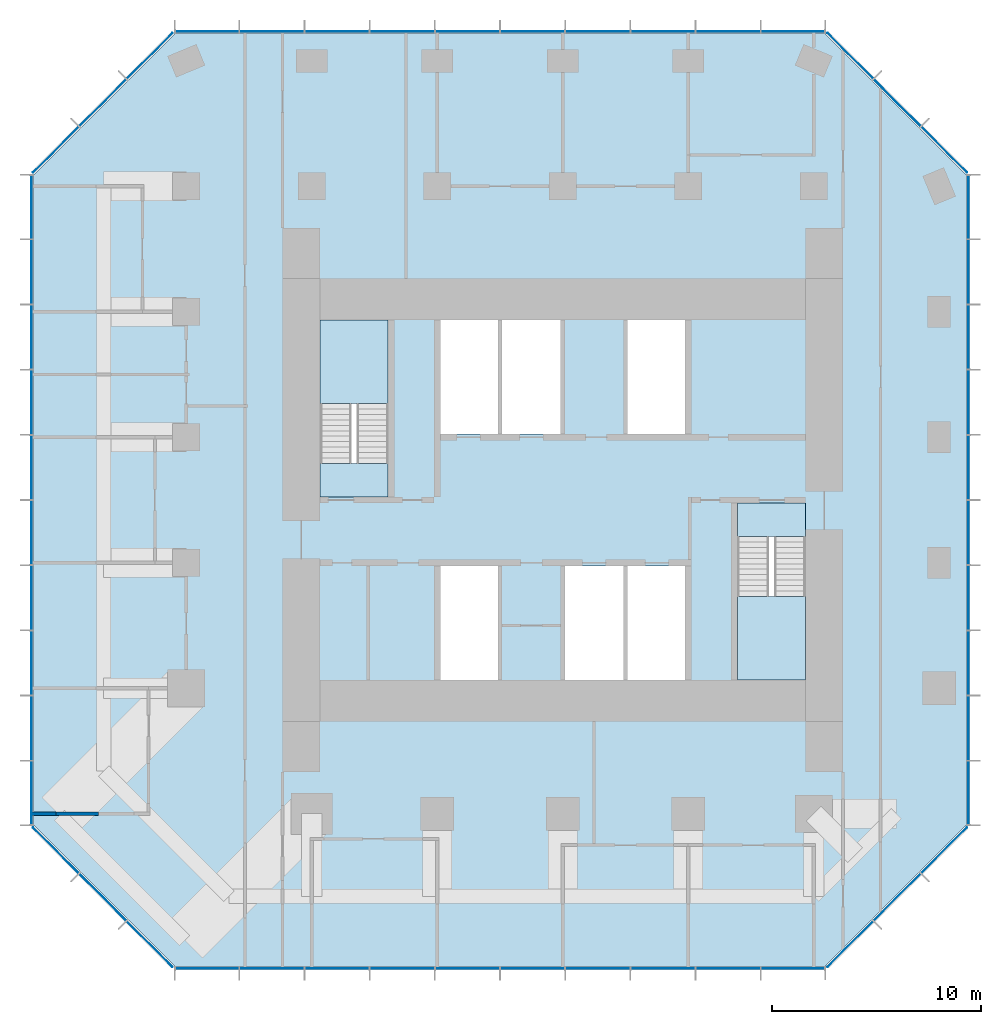
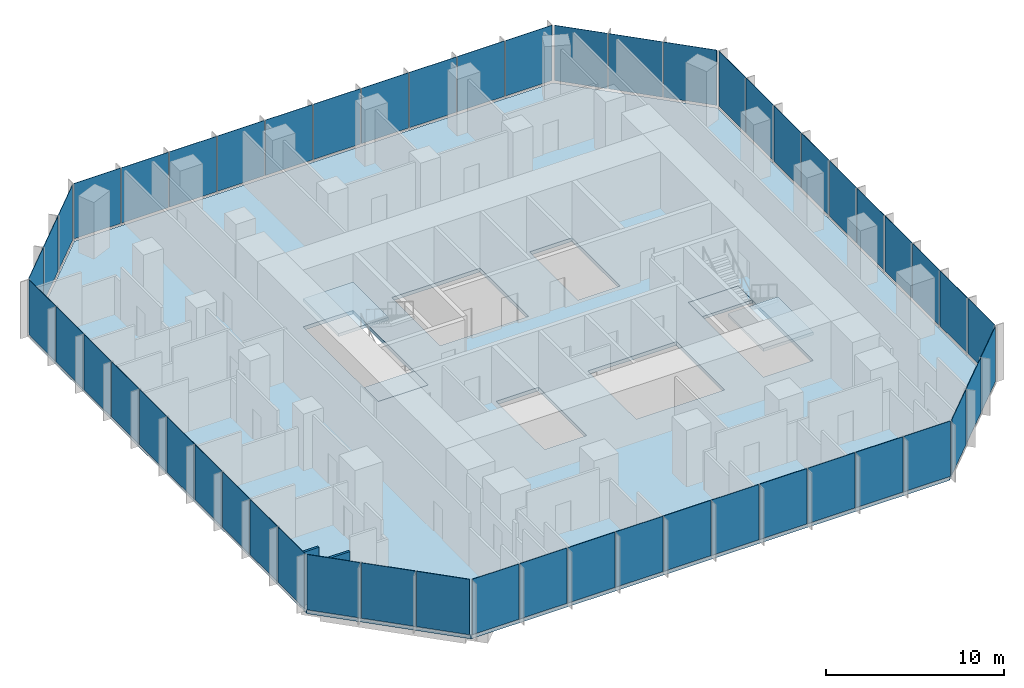
# One storey, part 7 of 11: 52 plates, 5 slabs, 2 walls, 10 elements without a shape of their own.
"""IFC4 building model written with IfcOpenShell, lengths in metres."""

from ifc_helpers import new_model, si_unit, direction, frame, frame_2d, origin, origin_2d, place, context, subcontext, project, spatial, polyline, rectangle, outline, extrude, material, layer, layer_set, type_object, element, aggregate, save


model = new_model("IFC4")

# Units and contexts
model_context = context("Model", 3, precision=1e-05, world=origin(), true_north=direction((0.0, 1.0)))
body_context = subcontext(model_context, "Body", "Model", "MODEL_VIEW")
ifc_project = project(units=[si_unit("LENGTHUNIT", "METRE"), si_unit("AREAUNIT", "SQUARE_METRE"), si_unit("VOLUMEUNIT", "CUBIC_METRE"), si_unit("PLANEANGLEUNIT", "RADIAN"), si_unit("MASSUNIT", "GRAM", prefix="KILO")], contexts=[model_context])

# Site, building, storey
site_placement = place(None, origin())
site = spatial("IfcSite", under=ifc_project, at=site_placement, CompositionType="ELEMENT")
building_placement = place(site_placement, origin())
building = spatial("IfcBuilding", under=site, at=building_placement, Name="Highveld Stack Headquarters", CompositionType="ELEMENT")
storey_placement = place(building_placement, frame((0.0, 0.0, 220.10009765625)))
storey = spatial("IfcBuildingStorey", under=building, at=storey_placement, Name="L54", CompositionType="ELEMENT", Elevation=220.10009765625)

# Curtain wall, plates
ifc_material_1 = material(Name="Aluminium bronze anodised", Category="aluminium")
ifc_layer_1 = layer(ifc_material_1, 0.199951171875)
ifc_layer_set_1 = layer_set([ifc_layer_1], Name="Aluminium bronze anodised")
curtain_wall_type_1 = type_object("IfcCurtainWallType", Name="CW1 TOWER UNITISED CURTAIN WALL", PredefinedType="NOTDEFINED", material=ifc_layer_set_1)
curtain_wall_1_placement = place(storey_placement, origin())
curtain_wall_1 = element("IfcCurtainWall", 1, at=curtain_wall_1_placement, inside=storey, type_object=curtain_wall_type_1, Name="Curtain wall CW1 L54 S", PredefinedType="NOTDEFINED")
ifc_material_2 = material(Name="Glass bronze tinted double glazed unit", Category="glass")
ifc_layer_2 = layer(ifc_material_2, 0.028076171875)
ifc_layer_set_2 = layer_set([ifc_layer_2], Name="Glass bronze tinted double glazed unit")
plate_type_1 = type_object("IfcPlateType", Name="CW1 PANEL BRONZE TINTED DOUBLE GLAZED UNIT", PredefinedType="CURTAIN_PANEL", material=ifc_layer_set_2)
plate_1_placement = place(storey_placement, frame((-11.005615234375, -19.39990234375, 0.10009765625), z_axis=(0.0, 0.0, 1.0), x_axis=(1.0, 0.0, 0.0)))
plate_1 = element("IfcPlate", 2, at=plate_1_placement, type_object=plate_type_1, Name="CW1 panel L54 1.1", PredefinedType="CURTAIN_PANEL", context=body_context, shape_type="SweptSolid", body=[
    extrude(rectangle(XDim=3.0185546875, YDim=0.028076171875, at=origin_2d()), origin(), (0.0, 0.0, 1.0), 3.800048828125),
])
plate_2_placement = place(storey_placement, frame((-7.906005859375, -19.39990234375, 0.10009765625), z_axis=(0.0, 0.0, 1.0), x_axis=(1.0, 0.0, 0.0)))
plate_2 = element("IfcPlate", 3, at=plate_2_placement, type_object=plate_type_1, Name="CW1 panel L54 2.1", PredefinedType="CURTAIN_PANEL", context=body_context, shape_type="SweptSolid", body=[
    extrude(rectangle(XDim=3.051025390625, YDim=0.028076171875, at=origin_2d()), origin(), (0.0, 0.0, 1.0), 3.800048828125),
])
plate_3_placement = place(storey_placement, frame((-4.7900390625, -19.39990234375, 0.10009765625), z_axis=(0.0, 0.0, 1.0), x_axis=(1.0, 0.0, 0.0)))
plate_3 = element("IfcPlate", 4, at=plate_3_placement, type_object=plate_type_1, Name="CW1 panel L54 3.1", PredefinedType="CURTAIN_PANEL", context=body_context, shape_type="SweptSolid", body=[
    extrude(rectangle(XDim=3.051025390625, YDim=0.028076171875, at=origin_2d()), origin(), (0.0, 0.0, 1.0), 3.800048828125),
])
plate_4_placement = place(storey_placement, frame((-1.674072265625, -19.39990234375, 0.10009765625), z_axis=(0.0, 0.0, 1.0), x_axis=(1.0, 0.0, 0.0)))
plate_4 = element("IfcPlate", 5, at=plate_4_placement, type_object=plate_type_1, Name="CW1 panel L54 4.1", PredefinedType="CURTAIN_PANEL", context=body_context, shape_type="SweptSolid", body=[
    extrude(rectangle(XDim=3.051025390625, YDim=0.028076171875, at=origin_2d()), origin(), (0.0, 0.0, 1.0), 3.800048828125),
])
plate_5_placement = place(storey_placement, frame((1.44189453125, -19.39990234375, 0.10009765625), z_axis=(0.0, 0.0, 1.0), x_axis=(1.0, 0.0, 0.0)))
plate_5 = element("IfcPlate", 6, at=plate_5_placement, type_object=plate_type_1, Name="CW1 panel L54 5.1", PredefinedType="CURTAIN_PANEL", context=body_context, shape_type="SweptSolid", body=[
    extrude(rectangle(XDim=3.051025390625, YDim=0.028076171875, at=origin_2d()), origin(), (0.0, 0.0, 1.0), 3.800048828125),
])
plate_6_placement = place(storey_placement, frame((4.55810546875, -19.39990234375, 0.10009765625), z_axis=(0.0, 0.0, 1.0), x_axis=(1.0, 0.0, 0.0)))
plate_6 = element("IfcPlate", 7, at=plate_6_placement, type_object=plate_type_1, Name="CW1 panel L54 6.1", PredefinedType="CURTAIN_PANEL", context=body_context, shape_type="SweptSolid", body=[
    extrude(rectangle(XDim=3.051025390625, YDim=0.028076171875, at=origin_2d()), origin(), (0.0, 0.0, 1.0), 3.800048828125),
])
plate_7_placement = place(storey_placement, frame((7.674072265625, -19.39990234375, 0.10009765625), z_axis=(0.0, 0.0, 1.0), x_axis=(1.0, 0.0, 0.0)))
plate_7 = element("IfcPlate", 8, at=plate_7_placement, type_object=plate_type_1, Name="CW1 panel L54 7.1", PredefinedType="CURTAIN_PANEL", context=body_context, shape_type="SweptSolid", body=[
    extrude(rectangle(XDim=3.051025390625, YDim=0.028076171875, at=origin_2d()), origin(), (0.0, 0.0, 1.0), 3.800048828125),
])
plate_8_placement = place(storey_placement, frame((10.789794921875, -19.39990234375, 0.10009765625), z_axis=(0.0, 0.0, 1.0), x_axis=(1.0, 0.0, 0.0)))
plate_8 = element("IfcPlate", 9, at=plate_8_placement, type_object=plate_type_1, Name="CW1 panel L54 8.1", PredefinedType="CURTAIN_PANEL", context=body_context, shape_type="SweptSolid", body=[
    extrude(rectangle(XDim=3.051025390625, YDim=0.028076171875, at=origin_2d()), origin(), (0.0, 0.0, 1.0), 3.800048828125),
])
plate_9_placement = place(storey_placement, frame((13.906005859375, -19.39990234375, 0.10009765625), z_axis=(0.0, 0.0, 1.0), x_axis=(1.0, 0.0, 0.0)))
plate_9 = element("IfcPlate", 10, at=plate_9_placement, type_object=plate_type_1, Name="CW1 panel L54 9.1", PredefinedType="CURTAIN_PANEL", context=body_context, shape_type="SweptSolid", body=[
    extrude(rectangle(XDim=3.051025390625, YDim=0.028076171875, at=origin_2d()), origin(), (0.0, 0.0, 1.0), 3.800048828125),
])
plate_10_placement = place(storey_placement, frame((17.005615234375, -19.39990234375, 0.10009765625), z_axis=(0.0, 0.0, 1.0), x_axis=(1.0, 0.0, 0.0)))
plate_10 = element("IfcPlate", 11, at=plate_10_placement, type_object=plate_type_1, Name="CW1 panel L54 10.1", PredefinedType="CURTAIN_PANEL", context=body_context, shape_type="SweptSolid", body=[
    extrude(rectangle(XDim=3.0185546875, YDim=0.028076171875, at=origin_2d()), origin(), (0.0, 0.0, 1.0), 3.800048828125),
])
aggregate(curtain_wall_1, [plate_1, plate_2, plate_3, plate_4, plate_5, plate_6, plate_7, plate_8, plate_9, plate_10])

curtain_wall_2_placement = place(storey_placement, origin())
curtain_wall_2 = element("IfcCurtainWall", 12, at=curtain_wall_2_placement, inside=storey, type_object=curtain_wall_type_1, Name="Curtain wall CW1 L54 E", PredefinedType="NOTDEFINED")
plate_11_placement = place(storey_placement, frame((25.39990234375, -11.005615234375, 0.10009765625), z_axis=(0.0, 0.0, 1.0), x_axis=(0.0, 1.0, 0.0)))
plate_11 = element("IfcPlate", 13, at=plate_11_placement, type_object=plate_type_1, Name="CW1 panel L54 1.1", PredefinedType="CURTAIN_PANEL", context=body_context, shape_type="SweptSolid", body=[
    extrude(rectangle(XDim=3.0185546875, YDim=0.028076171875, at=origin_2d()), origin(), (0.0, 0.0, 1.0), 3.800048828125),
])
plate_12_placement = place(storey_placement, frame((25.39990234375, -7.906005859375, 0.10009765625), z_axis=(0.0, 0.0, 1.0), x_axis=(0.0, 1.0, 0.0)))
plate_12 = element("IfcPlate", 14, at=plate_12_placement, type_object=plate_type_1, Name="CW1 panel L54 2.1", PredefinedType="CURTAIN_PANEL", context=body_context, shape_type="SweptSolid", body=[
    extrude(rectangle(XDim=3.051025390625, YDim=0.028076171875, at=origin_2d()), origin(), (0.0, 0.0, 1.0), 3.800048828125),
])
plate_13_placement = place(storey_placement, frame((25.39990234375, -4.7900390625, 0.10009765625), z_axis=(0.0, 0.0, 1.0), x_axis=(0.0, 1.0, 0.0)))
plate_13 = element("IfcPlate", 15, at=plate_13_placement, type_object=plate_type_1, Name="CW1 panel L54 3.1", PredefinedType="CURTAIN_PANEL", context=body_context, shape_type="SweptSolid", body=[
    extrude(rectangle(XDim=3.051025390625, YDim=0.028076171875, at=origin_2d()), origin(), (0.0, 0.0, 1.0), 3.800048828125),
])
plate_14_placement = place(storey_placement, frame((25.39990234375, -1.674072265625, 0.10009765625), z_axis=(0.0, 0.0, 1.0), x_axis=(0.0, 1.0, 0.0)))
plate_14 = element("IfcPlate", 16, at=plate_14_placement, type_object=plate_type_1, Name="CW1 panel L54 4.1", PredefinedType="CURTAIN_PANEL", context=body_context, shape_type="SweptSolid", body=[
    extrude(rectangle(XDim=3.051025390625, YDim=0.028076171875, at=origin_2d()), origin(), (0.0, 0.0, 1.0), 3.800048828125),
])
plate_15_placement = place(storey_placement, frame((25.39990234375, 1.44189453125, 0.10009765625), z_axis=(0.0, 0.0, 1.0), x_axis=(0.0, 1.0, 0.0)))
plate_15 = element("IfcPlate", 17, at=plate_15_placement, type_object=plate_type_1, Name="CW1 panel L54 5.1", PredefinedType="CURTAIN_PANEL", context=body_context, shape_type="SweptSolid", body=[
    extrude(rectangle(XDim=3.051025390625, YDim=0.028076171875, at=origin_2d()), origin(), (0.0, 0.0, 1.0), 3.800048828125),
])
plate_16_placement = place(storey_placement, frame((25.39990234375, 4.55810546875, 0.10009765625), z_axis=(0.0, 0.0, 1.0), x_axis=(0.0, 1.0, 0.0)))
plate_16 = element("IfcPlate", 18, at=plate_16_placement, type_object=plate_type_1, Name="CW1 panel L54 6.1", PredefinedType="CURTAIN_PANEL", context=body_context, shape_type="SweptSolid", body=[
    extrude(rectangle(XDim=3.051025390625, YDim=0.028076171875, at=origin_2d()), origin(), (0.0, 0.0, 1.0), 3.800048828125),
])
plate_17_placement = place(storey_placement, frame((25.39990234375, 7.674072265625, 0.10009765625), z_axis=(0.0, 0.0, 1.0), x_axis=(0.0, 1.0, 0.0)))
plate_17 = element("IfcPlate", 19, at=plate_17_placement, type_object=plate_type_1, Name="CW1 panel L54 7.1", PredefinedType="CURTAIN_PANEL", context=body_context, shape_type="SweptSolid", body=[
    extrude(rectangle(XDim=3.051025390625, YDim=0.028076171875, at=origin_2d()), origin(), (0.0, 0.0, 1.0), 3.800048828125),
])
plate_18_placement = place(storey_placement, frame((25.39990234375, 10.789794921875, 0.10009765625), z_axis=(0.0, 0.0, 1.0), x_axis=(0.0, 1.0, 0.0)))
plate_18 = element("IfcPlate", 20, at=plate_18_placement, type_object=plate_type_1, Name="CW1 panel L54 8.1", PredefinedType="CURTAIN_PANEL", context=body_context, shape_type="SweptSolid", body=[
    extrude(rectangle(XDim=3.051025390625, YDim=0.028076171875, at=origin_2d()), origin(), (0.0, 0.0, 1.0), 3.800048828125),
])
plate_19_placement = place(storey_placement, frame((25.39990234375, 13.906005859375, 0.10009765625), z_axis=(0.0, 0.0, 1.0), x_axis=(0.0, 1.0, 0.0)))
plate_19 = element("IfcPlate", 21, at=plate_19_placement, type_object=plate_type_1, Name="CW1 panel L54 9.1", PredefinedType="CURTAIN_PANEL", context=body_context, shape_type="SweptSolid", body=[
    extrude(rectangle(XDim=3.051025390625, YDim=0.028076171875, at=origin_2d()), origin(), (0.0, 0.0, 1.0), 3.800048828125),
])
plate_20_placement = place(storey_placement, frame((25.39990234375, 17.005615234375, 0.10009765625), z_axis=(0.0, 0.0, 1.0), x_axis=(0.0, 1.0, 0.0)))
plate_20 = element("IfcPlate", 22, at=plate_20_placement, type_object=plate_type_1, Name="CW1 panel L54 10.1", PredefinedType="CURTAIN_PANEL", context=body_context, shape_type="SweptSolid", body=[
    extrude(rectangle(XDim=3.0185546875, YDim=0.028076171875, at=origin_2d()), origin(), (0.0, 0.0, 1.0), 3.800048828125),
])
aggregate(curtain_wall_2, [plate_11, plate_12, plate_13, plate_14, plate_15, plate_16, plate_17, plate_18, plate_19, plate_20])

curtain_wall_3_placement = place(storey_placement, origin())
curtain_wall_3 = element("IfcCurtainWall", 23, at=curtain_wall_3_placement, inside=storey, type_object=curtain_wall_type_1, Name="Curtain wall CW1 L54 N", PredefinedType="NOTDEFINED")
plate_21_placement = place(storey_placement, frame((17.005615234375, 25.39990234375, 0.10009765625), z_axis=(0.0, 0.0, 1.0), x_axis=(-1.0, 0.0, 0.0)))
plate_21 = element("IfcPlate", 24, at=plate_21_placement, type_object=plate_type_1, Name="CW1 panel L54 1.1", PredefinedType="CURTAIN_PANEL", context=body_context, shape_type="SweptSolid", body=[
    extrude(rectangle(XDim=3.0185546875, YDim=0.028076171875, at=origin_2d()), origin(), (0.0, 0.0, 1.0), 3.800048828125),
])
plate_22_placement = place(storey_placement, frame((13.906005859375, 25.39990234375, 0.10009765625), z_axis=(0.0, 0.0, 1.0), x_axis=(-1.0, 0.0, 0.0)))
plate_22 = element("IfcPlate", 25, at=plate_22_placement, type_object=plate_type_1, Name="CW1 panel L54 2.1", PredefinedType="CURTAIN_PANEL", context=body_context, shape_type="SweptSolid", body=[
    extrude(rectangle(XDim=3.051025390625, YDim=0.028076171875, at=origin_2d()), origin(), (0.0, 0.0, 1.0), 3.800048828125),
])
plate_23_placement = place(storey_placement, frame((10.7900390625, 25.39990234375, 0.10009765625), z_axis=(0.0, 0.0, 1.0), x_axis=(-1.0, 0.0, 0.0)))
plate_23 = element("IfcPlate", 26, at=plate_23_placement, type_object=plate_type_1, Name="CW1 panel L54 3.1", PredefinedType="CURTAIN_PANEL", context=body_context, shape_type="SweptSolid", body=[
    extrude(rectangle(XDim=3.051025390625, YDim=0.028076171875, at=origin_2d()), origin(), (0.0, 0.0, 1.0), 3.800048828125),
])
plate_24_placement = place(storey_placement, frame((7.674072265625, 25.39990234375, 0.10009765625), z_axis=(0.0, 0.0, 1.0), x_axis=(-1.0, 0.0, 0.0)))
plate_24 = element("IfcPlate", 27, at=plate_24_placement, type_object=plate_type_1, Name="CW1 panel L54 4.1", PredefinedType="CURTAIN_PANEL", context=body_context, shape_type="SweptSolid", body=[
    extrude(rectangle(XDim=3.051025390625, YDim=0.028076171875, at=origin_2d()), origin(), (0.0, 0.0, 1.0), 3.800048828125),
])
plate_25_placement = place(storey_placement, frame((4.55810546875, 25.39990234375, 0.10009765625), z_axis=(0.0, 0.0, 1.0), x_axis=(-1.0, 0.0, 0.0)))
plate_25 = element("IfcPlate", 28, at=plate_25_placement, type_object=plate_type_1, Name="CW1 panel L54 5.1", PredefinedType="CURTAIN_PANEL", context=body_context, shape_type="SweptSolid", body=[
    extrude(rectangle(XDim=3.051025390625, YDim=0.028076171875, at=origin_2d()), origin(), (0.0, 0.0, 1.0), 3.800048828125),
])
plate_26_placement = place(storey_placement, frame((1.44189453125, 25.39990234375, 0.10009765625), z_axis=(0.0, 0.0, 1.0), x_axis=(-1.0, 0.0, 0.0)))
plate_26 = element("IfcPlate", 29, at=plate_26_placement, type_object=plate_type_1, Name="CW1 panel L54 6.1", PredefinedType="CURTAIN_PANEL", context=body_context, shape_type="SweptSolid", body=[
    extrude(rectangle(XDim=3.051025390625, YDim=0.028076171875, at=origin_2d()), origin(), (0.0, 0.0, 1.0), 3.800048828125),
])
plate_27_placement = place(storey_placement, frame((-1.674072265625, 25.39990234375, 0.10009765625), z_axis=(0.0, 0.0, 1.0), x_axis=(-1.0, 0.0, 0.0)))
plate_27 = element("IfcPlate", 30, at=plate_27_placement, type_object=plate_type_1, Name="CW1 panel L54 7.1", PredefinedType="CURTAIN_PANEL", context=body_context, shape_type="SweptSolid", body=[
    extrude(rectangle(XDim=3.051025390625, YDim=0.028076171875, at=origin_2d()), origin(), (0.0, 0.0, 1.0), 3.800048828125),
])
plate_28_placement = place(storey_placement, frame((-4.789794921875, 25.39990234375, 0.10009765625), z_axis=(0.0, 0.0, 1.0), x_axis=(-1.0, 0.0, 0.0)))
plate_28 = element("IfcPlate", 31, at=plate_28_placement, type_object=plate_type_1, Name="CW1 panel L54 8.1", PredefinedType="CURTAIN_PANEL", context=body_context, shape_type="SweptSolid", body=[
    extrude(rectangle(XDim=3.051025390625, YDim=0.028076171875, at=origin_2d()), origin(), (0.0, 0.0, 1.0), 3.800048828125),
])
plate_29_placement = place(storey_placement, frame((-7.906005859375, 25.39990234375, 0.10009765625), z_axis=(0.0, 0.0, 1.0), x_axis=(-1.0, 0.0, 0.0)))
plate_29 = element("IfcPlate", 32, at=plate_29_placement, type_object=plate_type_1, Name="CW1 panel L54 9.1", PredefinedType="CURTAIN_PANEL", context=body_context, shape_type="SweptSolid", body=[
    extrude(rectangle(XDim=3.051025390625, YDim=0.028076171875, at=origin_2d()), origin(), (0.0, 0.0, 1.0), 3.800048828125),
])
plate_30_placement = place(storey_placement, frame((-11.005615234375, 25.39990234375, 0.10009765625), z_axis=(0.0, 0.0, 1.0), x_axis=(-1.0, 0.0, 0.0)))
plate_30 = element("IfcPlate", 33, at=plate_30_placement, type_object=plate_type_1, Name="CW1 panel L54 10.1", PredefinedType="CURTAIN_PANEL", context=body_context, shape_type="SweptSolid", body=[
    extrude(rectangle(XDim=3.0185546875, YDim=0.028076171875, at=origin_2d()), origin(), (0.0, 0.0, 1.0), 3.800048828125),
])
aggregate(curtain_wall_3, [plate_21, plate_22, plate_23, plate_24, plate_25, plate_26, plate_27, plate_28, plate_29, plate_30])

curtain_wall_4_placement = place(storey_placement, origin())
curtain_wall_4 = element("IfcCurtainWall", 34, at=curtain_wall_4_placement, inside=storey, type_object=curtain_wall_type_1, Name="Curtain wall CW1 L54 W", PredefinedType="NOTDEFINED")
plate_31_placement = place(storey_placement, frame((-19.39990234375, 17.005615234375, 0.10009765625), z_axis=(0.0, 0.0, 1.0), x_axis=(0.0, -1.0, 0.0)))
plate_31 = element("IfcPlate", 35, at=plate_31_placement, type_object=plate_type_1, Name="CW1 panel L54 1.1", PredefinedType="CURTAIN_PANEL", context=body_context, shape_type="SweptSolid", body=[
    extrude(rectangle(XDim=3.0185546875, YDim=0.028076171875, at=origin_2d()), origin(), (0.0, 0.0, 1.0), 3.800048828125),
])
plate_32_placement = place(storey_placement, frame((-19.39990234375, 13.906005859375, 0.10009765625), z_axis=(0.0, 0.0, 1.0), x_axis=(0.0, -1.0, 0.0)))
plate_32 = element("IfcPlate", 36, at=plate_32_placement, type_object=plate_type_1, Name="CW1 panel L54 2.1", PredefinedType="CURTAIN_PANEL", context=body_context, shape_type="SweptSolid", body=[
    extrude(rectangle(XDim=3.051025390625, YDim=0.028076171875, at=origin_2d()), origin(), (0.0, 0.0, 1.0), 3.800048828125),
])
plate_33_placement = place(storey_placement, frame((-19.39990234375, 10.7900390625, 0.10009765625), z_axis=(0.0, 0.0, 1.0), x_axis=(0.0, -1.0, 0.0)))
plate_33 = element("IfcPlate", 37, at=plate_33_placement, type_object=plate_type_1, Name="CW1 panel L54 3.1", PredefinedType="CURTAIN_PANEL", context=body_context, shape_type="SweptSolid", body=[
    extrude(rectangle(XDim=3.051025390625, YDim=0.028076171875, at=origin_2d()), origin(), (0.0, 0.0, 1.0), 3.800048828125),
])
plate_34_placement = place(storey_placement, frame((-19.39990234375, 7.674072265625, 0.10009765625), z_axis=(0.0, 0.0, 1.0), x_axis=(0.0, -1.0, 0.0)))
plate_34 = element("IfcPlate", 38, at=plate_34_placement, type_object=plate_type_1, Name="CW1 panel L54 4.1", PredefinedType="CURTAIN_PANEL", context=body_context, shape_type="SweptSolid", body=[
    extrude(rectangle(XDim=3.051025390625, YDim=0.028076171875, at=origin_2d()), origin(), (0.0, 0.0, 1.0), 3.800048828125),
])
plate_35_placement = place(storey_placement, frame((-19.39990234375, 4.55810546875, 0.10009765625), z_axis=(0.0, 0.0, 1.0), x_axis=(0.0, -1.0, 0.0)))
plate_35 = element("IfcPlate", 39, at=plate_35_placement, type_object=plate_type_1, Name="CW1 panel L54 5.1", PredefinedType="CURTAIN_PANEL", context=body_context, shape_type="SweptSolid", body=[
    extrude(rectangle(XDim=3.051025390625, YDim=0.028076171875, at=origin_2d()), origin(), (0.0, 0.0, 1.0), 3.800048828125),
])
plate_36_placement = place(storey_placement, frame((-19.39990234375, 1.44189453125, 0.10009765625), z_axis=(0.0, 0.0, 1.0), x_axis=(0.0, -1.0, 0.0)))
plate_36 = element("IfcPlate", 40, at=plate_36_placement, type_object=plate_type_1, Name="CW1 panel L54 6.1", PredefinedType="CURTAIN_PANEL", context=body_context, shape_type="SweptSolid", body=[
    extrude(rectangle(XDim=3.051025390625, YDim=0.028076171875, at=origin_2d()), origin(), (0.0, 0.0, 1.0), 3.800048828125),
])
plate_37_placement = place(storey_placement, frame((-19.39990234375, -1.674072265625, 0.10009765625), z_axis=(0.0, 0.0, 1.0), x_axis=(0.0, -1.0, 0.0)))
plate_37 = element("IfcPlate", 41, at=plate_37_placement, type_object=plate_type_1, Name="CW1 panel L54 7.1", PredefinedType="CURTAIN_PANEL", context=body_context, shape_type="SweptSolid", body=[
    extrude(rectangle(XDim=3.051025390625, YDim=0.028076171875, at=origin_2d()), origin(), (0.0, 0.0, 1.0), 3.800048828125),
])
plate_38_placement = place(storey_placement, frame((-19.39990234375, -4.789794921875, 0.10009765625), z_axis=(0.0, 0.0, 1.0), x_axis=(0.0, -1.0, 0.0)))
plate_38 = element("IfcPlate", 42, at=plate_38_placement, type_object=plate_type_1, Name="CW1 panel L54 8.1", PredefinedType="CURTAIN_PANEL", context=body_context, shape_type="SweptSolid", body=[
    extrude(rectangle(XDim=3.051025390625, YDim=0.028076171875, at=origin_2d()), origin(), (0.0, 0.0, 1.0), 3.800048828125),
])
plate_39_placement = place(storey_placement, frame((-19.39990234375, -7.906005859375, 0.10009765625), z_axis=(0.0, 0.0, 1.0), x_axis=(0.0, -1.0, 0.0)))
plate_39 = element("IfcPlate", 43, at=plate_39_placement, type_object=plate_type_1, Name="CW1 panel L54 9.1", PredefinedType="CURTAIN_PANEL", context=body_context, shape_type="SweptSolid", body=[
    extrude(rectangle(XDim=3.051025390625, YDim=0.028076171875, at=origin_2d()), origin(), (0.0, 0.0, 1.0), 3.800048828125),
])
plate_40_placement = place(storey_placement, frame((-19.39990234375, -11.005615234375, 0.10009765625), z_axis=(0.0, 0.0, 1.0), x_axis=(0.0, -1.0, 0.0)))
plate_40 = element("IfcPlate", 44, at=plate_40_placement, type_object=plate_type_1, Name="CW1 panel L54 10.1", PredefinedType="CURTAIN_PANEL", context=body_context, shape_type="SweptSolid", body=[
    extrude(rectangle(XDim=3.0185546875, YDim=0.028076171875, at=origin_2d()), origin(), (0.0, 0.0, 1.0), 3.800048828125),
])
aggregate(curtain_wall_4, [plate_31, plate_32, plate_33, plate_34, plate_35, plate_36, plate_37, plate_38, plate_39, plate_40])

ifc_material_3 = material(Name="Aluminium bronze anodised", Category="aluminium")
ifc_layer_3 = layer(ifc_material_3, 0.199951171875)
ifc_layer_set_3 = layer_set([ifc_layer_3], Name="Aluminium bronze anodised")
curtain_wall_type_2 = type_object("IfcCurtainWallType", Name="CW2 TOWER CHAMFER UNITISED CURTAIN WALL", PredefinedType="NOTDEFINED", material=ifc_layer_set_3)
curtain_wall_5_placement = place(storey_placement, origin())
curtain_wall_5 = element("IfcCurtainWall", 45, at=curtain_wall_5_placement, inside=storey, type_object=curtain_wall_type_2, Name="Curtain wall CW2 L54 SE", PredefinedType="NOTDEFINED")
ifc_material_4 = material(Name="Glass bronze tinted double glazed unit", Category="glass")
ifc_layer_4 = layer(ifc_material_4, 0.028076171875)
ifc_layer_set_4 = layer_set([ifc_layer_4], Name="Glass bronze tinted double glazed unit")
plate_type_2 = type_object("IfcPlateType", Name="CW2 PANEL BRONZE TINTED DOUBLE GLAZED UNIT", PredefinedType="CURTAIN_PANEL", material=ifc_layer_set_4)
plate_41_placement = place(storey_placement, frame((19.740478515625, -18.239501953125, 0.10009765625), z_axis=(0.0, 0.0, 1.0), x_axis=(0.707106781187, 0.707106781187, 0.0)))
plate_41 = element("IfcPlate", 46, at=plate_41_placement, type_object=plate_type_2, Name="CW2 panel L54 1.1", PredefinedType="CURTAIN_PANEL", context=body_context, shape_type="SweptSolid", body=[
    extrude(rectangle(XDim=3.08251953125, YDim=0.028076171875, at=origin_2d()), origin(), (0.0, 0.0, 1.0), 3.800048828125),
])
plate_42_placement = place(storey_placement, frame((21.989990234375, -15.989990234375, 0.10009765625), z_axis=(0.0, 0.0, 1.0), x_axis=(0.707106781187, 0.707106781187, 0.0)))
plate_42 = element("IfcPlate", 47, at=plate_42_placement, type_object=plate_type_2, Name="CW2 panel L54 2.1", PredefinedType="CURTAIN_PANEL", context=body_context, shape_type="SweptSolid", body=[
    extrude(rectangle(XDim=3.14990234375, YDim=0.028076171875, at=origin_2d()), origin(), (0.0, 0.0, 1.0), 3.800048828125),
])
plate_43_placement = place(storey_placement, frame((24.239501953125, -13.740478515625, 0.10009765625), z_axis=(0.0, 0.0, 1.0), x_axis=(0.707106781187, 0.707106781187, 0.0)))
plate_43 = element("IfcPlate", 48, at=plate_43_placement, type_object=plate_type_2, Name="CW2 panel L54 3.1", PredefinedType="CURTAIN_PANEL", context=body_context, shape_type="SweptSolid", body=[
    extrude(rectangle(XDim=3.08251953125, YDim=0.028076171875, at=origin_2d()), origin(), (0.0, 0.0, 1.0), 3.800048828125),
])
aggregate(curtain_wall_5, [plate_41, plate_42, plate_43])

curtain_wall_6_placement = place(storey_placement, origin())
curtain_wall_6 = element("IfcCurtainWall", 49, at=curtain_wall_6_placement, inside=storey, type_object=curtain_wall_type_2, Name="Curtain wall CW2 L54 NE", PredefinedType="NOTDEFINED")
plate_44_placement = place(storey_placement, frame((24.239501953125, 19.740478515625, 0.10009765625), z_axis=(0.0, 0.0, 1.0), x_axis=(-0.707106781187, 0.707106781187, 0.0)))
plate_44 = element("IfcPlate", 50, at=plate_44_placement, type_object=plate_type_2, Name="CW2 panel L54 1.1", PredefinedType="CURTAIN_PANEL", context=body_context, shape_type="SweptSolid", body=[
    extrude(rectangle(XDim=3.08251953125, YDim=0.028076171875, at=origin_2d()), origin(), (0.0, 0.0, 1.0), 3.800048828125),
])
plate_45_placement = place(storey_placement, frame((21.989990234375, 21.989990234375, 0.10009765625), z_axis=(0.0, 0.0, 1.0), x_axis=(-0.707106781187, 0.707106781187, 0.0)))
plate_45 = element("IfcPlate", 51, at=plate_45_placement, type_object=plate_type_2, Name="CW2 panel L54 2.1", PredefinedType="CURTAIN_PANEL", context=body_context, shape_type="SweptSolid", body=[
    extrude(rectangle(XDim=3.14990234375, YDim=0.028076171875, at=origin_2d()), origin(), (0.0, 0.0, 1.0), 3.800048828125),
])
plate_46_placement = place(storey_placement, frame((19.740478515625, 24.239501953125, 0.10009765625), z_axis=(0.0, 0.0, 1.0), x_axis=(-0.707106781187, 0.707106781187, 0.0)))
plate_46 = element("IfcPlate", 52, at=plate_46_placement, type_object=plate_type_2, Name="CW2 panel L54 3.1", PredefinedType="CURTAIN_PANEL", context=body_context, shape_type="SweptSolid", body=[
    extrude(rectangle(XDim=3.08251953125, YDim=0.028076171875, at=origin_2d()), origin(), (0.0, 0.0, 1.0), 3.800048828125),
])
aggregate(curtain_wall_6, [plate_44, plate_45, plate_46])

curtain_wall_7_placement = place(storey_placement, origin())
curtain_wall_7 = element("IfcCurtainWall", 53, at=curtain_wall_7_placement, inside=storey, type_object=curtain_wall_type_2, Name="Curtain wall CW2 L54 NW", PredefinedType="NOTDEFINED")
plate_47_placement = place(storey_placement, frame((-13.740478515625, 24.239501953125, 0.10009765625), z_axis=(0.0, 0.0, 1.0), x_axis=(-0.707106781187, -0.707106781187, 0.0)))
plate_47 = element("IfcPlate", 54, at=plate_47_placement, type_object=plate_type_2, Name="CW2 panel L54 1.1", PredefinedType="CURTAIN_PANEL", context=body_context, shape_type="SweptSolid", body=[
    extrude(rectangle(XDim=3.08251953125, YDim=0.028076171875, at=origin_2d()), origin(), (0.0, 0.0, 1.0), 3.800048828125),
])
plate_48_placement = place(storey_placement, frame((-15.989990234375, 21.989990234375, 0.10009765625), z_axis=(0.0, 0.0, 1.0), x_axis=(-0.707106781187, -0.707106781187, 0.0)))
plate_48 = element("IfcPlate", 55, at=plate_48_placement, type_object=plate_type_2, Name="CW2 panel L54 2.1", PredefinedType="CURTAIN_PANEL", context=body_context, shape_type="SweptSolid", body=[
    extrude(rectangle(XDim=3.14990234375, YDim=0.028076171875, at=origin_2d()), origin(), (0.0, 0.0, 1.0), 3.800048828125),
])
plate_49_placement = place(storey_placement, frame((-18.239501953125, 19.740478515625, 0.10009765625), z_axis=(0.0, 0.0, 1.0), x_axis=(-0.707106781187, -0.707106781187, 0.0)))
plate_49 = element("IfcPlate", 56, at=plate_49_placement, type_object=plate_type_2, Name="CW2 panel L54 3.1", PredefinedType="CURTAIN_PANEL", context=body_context, shape_type="SweptSolid", body=[
    extrude(rectangle(XDim=3.08251953125, YDim=0.028076171875, at=origin_2d()), origin(), (0.0, 0.0, 1.0), 3.800048828125),
])
aggregate(curtain_wall_7, [plate_47, plate_48, plate_49])

curtain_wall_8_placement = place(storey_placement, origin())
curtain_wall_8 = element("IfcCurtainWall", 57, at=curtain_wall_8_placement, inside=storey, type_object=curtain_wall_type_2, Name="Curtain wall CW2 L54 SW", PredefinedType="NOTDEFINED")
plate_50_placement = place(storey_placement, frame((-18.239501953125, -13.740478515625, 0.10009765625), z_axis=(0.0, 0.0, 1.0), x_axis=(0.707106781187, -0.707106781187, 0.0)))
plate_50 = element("IfcPlate", 58, at=plate_50_placement, type_object=plate_type_2, Name="CW2 panel L54 1.1", PredefinedType="CURTAIN_PANEL", context=body_context, shape_type="SweptSolid", body=[
    extrude(rectangle(XDim=3.08251953125, YDim=0.028076171875, at=origin_2d()), origin(), (0.0, 0.0, 1.0), 3.800048828125),
])
plate_51_placement = place(storey_placement, frame((-15.989990234375, -15.989990234375, 0.10009765625), z_axis=(0.0, 0.0, 1.0), x_axis=(0.707106781187, -0.707106781187, 0.0)))
plate_51 = element("IfcPlate", 59, at=plate_51_placement, type_object=plate_type_2, Name="CW2 panel L54 2.1", PredefinedType="CURTAIN_PANEL", context=body_context, shape_type="SweptSolid", body=[
    extrude(rectangle(XDim=3.14990234375, YDim=0.028076171875, at=origin_2d()), origin(), (0.0, 0.0, 1.0), 3.800048828125),
])
plate_52_placement = place(storey_placement, frame((-13.740478515625, -18.239501953125, 0.10009765625), z_axis=(0.0, 0.0, 1.0), x_axis=(0.707106781187, -0.707106781187, 0.0)))
plate_52 = element("IfcPlate", 60, at=plate_52_placement, type_object=plate_type_2, Name="CW2 panel L54 3.1", PredefinedType="CURTAIN_PANEL", context=body_context, shape_type="SweptSolid", body=[
    extrude(rectangle(XDim=3.08251953125, YDim=0.028076171875, at=origin_2d()), origin(), (0.0, 0.0, 1.0), 3.800048828125),
])
aggregate(curtain_wall_8, [plate_50, plate_51, plate_52])

# Slab
ifc_material_5 = material(Name="Concrete C60/75", Category="concrete")
ifc_layer_5 = layer(ifc_material_5, 0.25)
ifc_layer_set_5 = layer_set([ifc_layer_5], Name="Concrete C60/75")
slab_type_1 = type_object("IfcSlabType", Name="PT FLAT SLAB 250", PredefinedType="FLOOR", material=ifc_layer_set_5)
slab_1_placement = place(storey_placement, frame((0.0, 0.0, -0.25)))
element("IfcSlab", 61, at=slab_1_placement, inside=storey, type_object=slab_type_1, Name="Floor slab L54", PredefinedType="FLOOR", context=body_context, shape_type="SweptSolid", body=[
    extrude(outline(polyline([(-12.53857421875, -19.300048828125), (18.53857421875, -19.300048828125), (25.300048828125, -12.53857421875), (25.300048828125, 18.53857421875), (18.53857421875, 25.300048828125), (-12.53857421875, 25.300048828125), (-19.300048828125, 18.53857421875), (-19.300048828125, -12.53857421875), (-12.53857421875, -19.300048828125)]), holes=[polyline([(0.14990234375, 6.14990234375), (5.89990234375, 6.14990234375), (5.89990234375, 11.60009765625), (0.14990234375, 11.60009765625), (0.14990234375, 6.14990234375)]), polyline([(9.10009765625, 6.14990234375), (11.85009765625, 6.14990234375), (11.85009765625, 11.60009765625), (9.10009765625, 11.60009765625), (9.10009765625, 6.14990234375)]), polyline([(6.10009765625, -5.60009765625), (11.85009765625, -5.60009765625), (11.85009765625, -0.14990234375), (6.10009765625, -0.14990234375), (6.10009765625, -5.60009765625)]), polyline([(0.14990234375, -5.60009765625), (2.89990234375, -5.60009765625), (2.89990234375, -0.14990234375), (0.14990234375, -0.14990234375), (0.14990234375, -5.60009765625)]), polyline([(-5.60009765625, 3.14990234375), (-2.35009765625, 3.14990234375), (-2.35009765625, 11.60009765625), (-5.60009765625, 11.60009765625), (-5.60009765625, 3.14990234375)]), polyline([(14.35009765625, -5.60009765625), (17.60009765625, -5.60009765625), (17.60009765625, 2.85009765625), (14.35009765625, 2.85009765625), (14.35009765625, -5.60009765625)])]), origin(), (0.0, 0.0, 1.0), 0.25),
])

# Stair, slabs
ifc_material_6 = material(Name="Concrete C40/50, precast", Category="concrete")
stair_type_1 = type_object("IfcStairType", Name="STAIR S1 HALF TURN 1500", PredefinedType="HALF_TURN_STAIR", material=ifc_material_6)
stair_1_placement = place(storey_placement, origin())
stair_1 = element("IfcStair", 62, at=stair_1_placement, inside=storey, type_object=stair_type_1, Name="Stair S1 L54", PredefinedType="HALF_TURN_STAIR")
ifc_material_7 = material(Name="Concrete C40/50, precast", Category="concrete")
ifc_layer_6 = layer(ifc_material_7, 0.199951171875)
ifc_layer_set_6 = layer_set([ifc_layer_6], Name="Concrete C40/50, precast")
slab_type_2 = type_object("IfcSlabType", Name="STAIR LANDING 200", PredefinedType="LANDING", material=ifc_layer_set_6)
slab_2_placement = place(storey_placement, frame((0.0, 0.0, 1.75)))
slab_2 = element("IfcSlab", 63, at=slab_2_placement, type_object=slab_type_2, Name="S1 landing 1", PredefinedType="LANDING", context=body_context, shape_type="SweptSolid", body=[
    extrude(outline(polyline([(-5.60009765625, 7.610107421875), (-2.35009765625, 7.610107421875), (-2.35009765625, 11.60009765625), (-5.60009765625, 11.60009765625), (-5.60009765625, 7.610107421875)])), origin(), (0.0, 0.0, 1.0), 0.199951171875),
])
slab_3_placement = place(storey_placement, frame((0.0, 0.0, -0.2001953125)))
slab_3 = element("IfcSlab", 64, at=slab_3_placement, type_object=slab_type_2, Name="S1 landing 2", PredefinedType="LANDING", context=body_context, shape_type="SweptSolid", body=[
    extrude(outline(polyline([(-5.60009765625, 3.14990234375), (-2.35009765625, 3.14990234375), (-2.35009765625, 4.75), (-5.60009765625, 4.75), (-5.60009765625, 3.14990234375)])), origin(), (0.0, 0.0, 1.0), 0.2001953125),
])
aggregate(stair_1, [slab_2, slab_3])

ifc_material_8 = material(Name="Concrete C40/50, precast", Category="concrete")
stair_type_2 = type_object("IfcStairType", Name="STAIR S2 HALF TURN 1500", PredefinedType="HALF_TURN_STAIR", material=ifc_material_8)
stair_2_placement = place(storey_placement, origin())
stair_2 = element("IfcStair", 65, at=stair_2_placement, inside=storey, type_object=stair_type_2, Name="Stair S2 L54", PredefinedType="HALF_TURN_STAIR")
slab_4_placement = place(storey_placement, frame((0.0, 0.0, 1.75)))
slab_4 = element("IfcSlab", 66, at=slab_4_placement, type_object=slab_type_2, Name="S2 landing 1", PredefinedType="LANDING", context=body_context, shape_type="SweptSolid", body=[
    extrude(outline(polyline([(14.35009765625, -5.60009765625), (17.60009765625, -5.60009765625), (17.60009765625, -1.610107421875), (14.35009765625, -1.610107421875), (14.35009765625, -5.60009765625)])), origin(), (0.0, 0.0, 1.0), 0.199951171875),
])
slab_5_placement = place(storey_placement, frame((0.0, 0.0, -0.2001953125)))
slab_5 = element("IfcSlab", 67, at=slab_5_placement, type_object=slab_type_2, Name="S2 landing 2", PredefinedType="LANDING", context=body_context, shape_type="SweptSolid", body=[
    extrude(outline(polyline([(14.35009765625, 1.25), (17.60009765625, 1.25), (17.60009765625, 2.85009765625), (14.35009765625, 2.85009765625), (14.35009765625, 1.25)])), origin(), (0.0, 0.0, 1.0), 0.2001953125),
])
aggregate(stair_2, [slab_4, slab_5])

# Walls
ifc_material_9 = material(Name="Gypsum plasterboard on steel studs", Category="steel")
ifc_layer_7 = layer(ifc_material_9, 0.14990234375)
ifc_layer_set_7 = layer_set([ifc_layer_7], Name="Gypsum plasterboard on steel studs")
wall_type = type_object("IfcWallType", Name="PARTITION 150 PLASTERBOARD", PredefinedType="PARTITIONING", material=ifc_layer_set_7)
wall_1_placement = place(storey_placement, frame((-19.39990234375, -12.0, 0.0), z_axis=(0.0, 0.0, 1.0), x_axis=(1.0, 0.0, 0.0)))
element("IfcWall", 68, at=wall_1_placement, inside=storey, type_object=wall_type, Name="Partition Print room L54", PredefinedType="PARTITIONING", context=body_context, shape_type="SweptSolid", body=[
    extrude(rectangle(XDim=1.162841796875, YDim=0.14990234375, at=frame_2d((0.58154296875, 0.0))), origin(), (0.0, 0.0, 1.0), 3.64990234375),
])
wall_2_placement = place(storey_placement, frame((-18.237060546875, -12.0, 0.0), z_axis=(0.0, 0.0, 1.0), x_axis=(1.0, 0.0, 0.0)))
element("IfcWall", 69, at=wall_2_placement, inside=storey, type_object=wall_type, Name="Partition Print room L54", PredefinedType="PARTITIONING", context=body_context, shape_type="SweptSolid", body=[
    extrude(rectangle(XDim=2.029052734375, YDim=0.14990234375, at=frame_2d((1.0146484375, 0.0))), origin(), (0.0, 0.0, 1.0), 2.64990234375),
])

save(model, "model.ifc")
